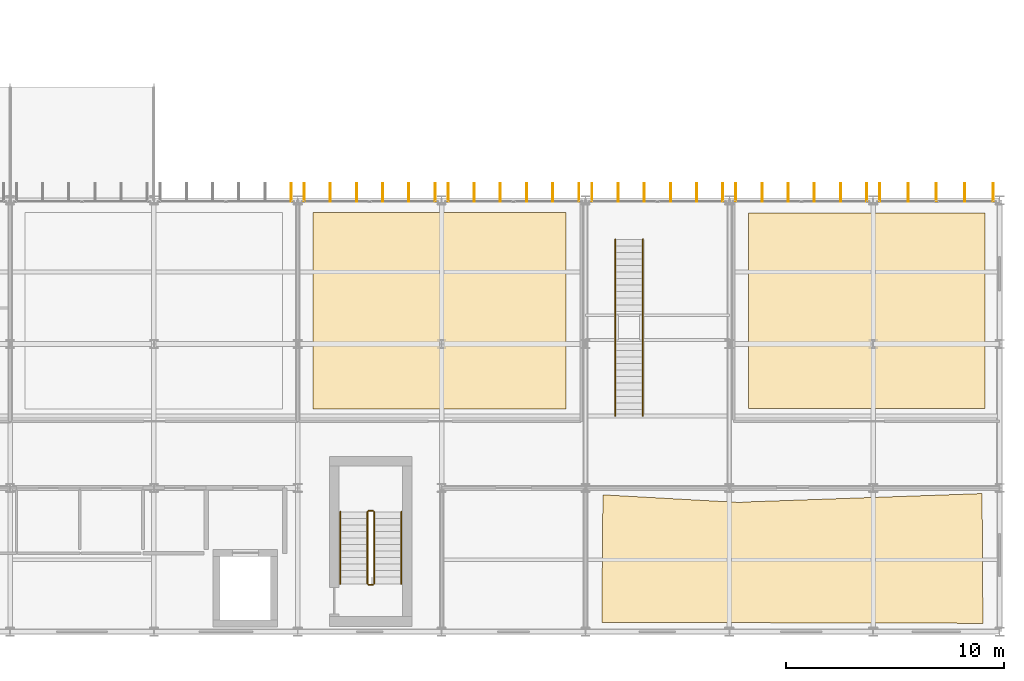
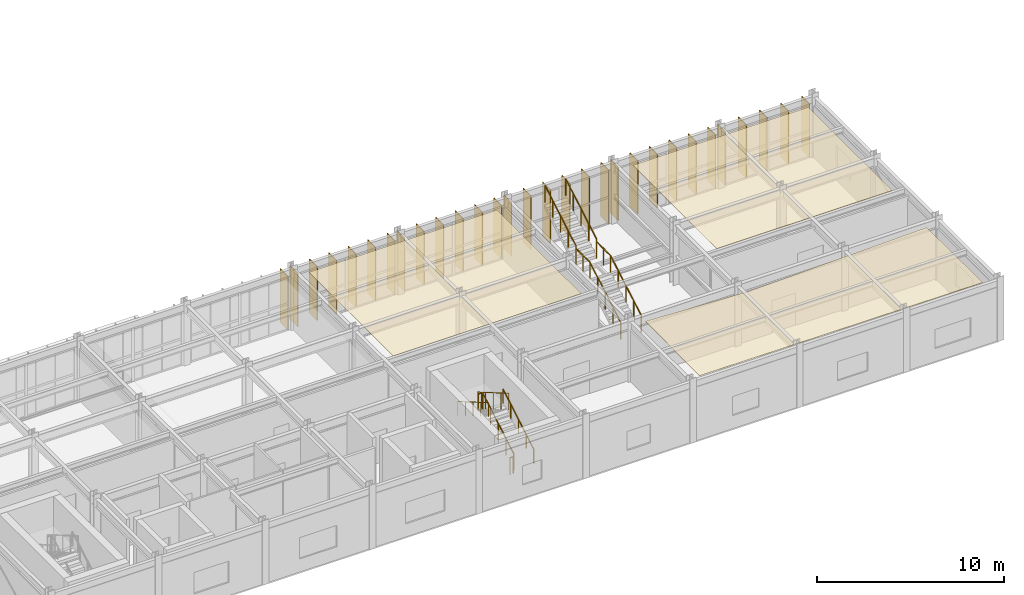
# One storey, part 147 of 148: 30 shading devices, 12 railings, 3 coverings.
"""IFC4 building model written with IfcOpenShell, lengths in metres."""

import ifcopenshell
import ifcopenshell.guid

model = None  # the IFC model being written
_history = None  # IfcOwnerHistory: only IFC2X3 demands one
_inside = {}  # id of a spatial element -> (the spatial element, [elements in it])
_under = {}  # id of a project, library or spatial element -> (it, [spatial elements below it])
_declared = {}  # id of a project -> (the project, [libraries it declares])
_typed = {}  # id of a type object -> (the type object, [elements of that type])
_made_of = {}  # id of a material, layer set ... -> (it, [elements and type objects made of it])


def new_model(schema):
    """Start an empty IFC model of exactly this schema.

    Asked for "IFC4X3", IfcOpenShell would pick the latest addendum, in which some entities
    have other attributes; the version numbers below select the first issue.
    IFC2X3 requires an IfcOwnerHistory on every rooted entity: one is made here for all.
    """
    global model, _history
    if schema == "IFC4X3":
        model = ifcopenshell.file(schema_version=(4, 3, 0, 0))
    else:
        model = ifcopenshell.file(schema=schema)
    _inside.clear()
    _under.clear()
    _declared.clear()
    _typed.clear()
    _made_of.clear()
    _history = None
    if model.schema == "IFC2X3":
        org = make("IfcOrganization", Name="unknown")
        user = make(
            "IfcPersonAndOrganization",
            ThePerson=make("IfcPerson", FamilyName="unknown"),
            TheOrganization=org,
        )
        app = make(
            "IfcApplication",
            ApplicationDeveloper=org,
            Version="unknown",
            ApplicationFullName="unknown",
            ApplicationIdentifier="unknown",
        )
        _history = make(
            "IfcOwnerHistory",
            OwningUser=user,
            OwningApplication=app,
            ChangeAction="ADDED",
            CreationDate=0,
        )
    return model


def make(cls, **values):
    """One entity of the class cls with the attributes given. An attribute that is None is left unset."""
    return model.create_entity(
        cls, **{name: value for name, value in values.items() if value is not None}
    )


def rooted(cls, **values):
    """An entity with a GlobalId (a new one), such as an element, a storey or a relation."""
    return make(cls, GlobalId=ifcopenshell.guid.new(), OwnerHistory=_history, **values)


def si_unit(unit_type, name, prefix=None):
    """IfcSIUnit, for example si_unit("LENGTHUNIT", "METRE", prefix="MILLI")."""
    return make("IfcSIUnit", UnitType=unit_type, Prefix=prefix, Name=name)


def assignment(units):
    """IfcUnitAssignment: the units of a project."""
    return None if units is None else make("IfcUnitAssignment", Units=units)


def point(xyz):
    """IfcCartesianPoint."""
    return None if xyz is None else make("IfcCartesianPoint", Coordinates=xyz)


def direction(xyz):
    """IfcDirection."""
    return None if xyz is None else make("IfcDirection", DirectionRatios=xyz)


def frame(location, z_axis=None, x_axis=None):
    """IfcAxis2Placement3D, a coordinate frame: its origin and axes. An axis left out is left unset."""
    return make(
        "IfcAxis2Placement3D",
        Location=point(location),
        Axis=direction(z_axis),
        RefDirection=direction(x_axis),
    )


def frame_2d(location, x_axis=None):
    """IfcAxis2Placement2D, a coordinate frame in the plane: its origin and x axis."""
    return make(
        "IfcAxis2Placement2D", Location=point(location), RefDirection=direction(x_axis)
    )


def origin():
    """The frame at (0, 0, 0) with its axes left unset."""
    return frame((0.0, 0.0, 0.0))


def origin_2d():
    """The frame at (0, 0) in the plane with its x axis left unset."""
    return frame_2d((0.0, 0.0))


def place(relative_to, where):
    """IfcLocalPlacement: puts the frame where relative to a parent placement (None: the world)."""
    return make(
        "IfcLocalPlacement", PlacementRelTo=relative_to, RelativePlacement=where
    )


def context(
    kind, dimensions, precision=None, world=None, true_north=None, identifier=None
):
    """IfcGeometricRepresentationContext, for example the 3D "Model" context."""
    return make(
        "IfcGeometricRepresentationContext",
        ContextIdentifier=identifier,
        ContextType=kind,
        CoordinateSpaceDimension=dimensions,
        Precision=precision,
        WorldCoordinateSystem=world,
        TrueNorth=true_north,
    )


def subcontext(parent, identifier, kind, view, scale=None):
    """IfcGeometricRepresentationSubContext, for example "Body" below "Model"."""
    return make(
        "IfcGeometricRepresentationSubContext",
        ContextIdentifier=identifier,
        ContextType=kind,
        ParentContext=parent,
        TargetScale=scale,
        TargetView=view,
    )


def project(units=None, contexts=None):
    """IfcProject with its units and contexts."""
    return rooted(
        "IfcProject",
        Name="project",
        RepresentationContexts=contexts,
        UnitsInContext=assignment(units),
    )


def spatial(cls, under=None, at=None, **own):
    """A site, building, storey or space (cls), placed at a placement, below another one or the project."""
    s = rooted(cls, ObjectPlacement=at, **own)
    if under is not None:
        _under.setdefault(under.id(), (under, []))[1].append(s)
    return s


def polyline(points):
    """IfcPolyline through the points."""
    return make("IfcPolyline", Points=[point(p) for p in points])


def profile(cls, at=None, kind="AREA", **sizes):
    """A parametric profile (cls). Its sizes go by their IFC names, for example OverallWidth=200.0."""
    return make(cls, ProfileType=kind, Position=at, **sizes)


def rectangle(**sizes):
    """IfcRectangleProfileDef."""
    return profile("IfcRectangleProfileDef", **sizes)


def circle(**sizes):
    """IfcCircleProfileDef."""
    return profile("IfcCircleProfileDef", **sizes)


def outline(outer, holes=None, kind="AREA"):
    """IfcArbitraryClosedProfileDef: a profile drawn as a closed curve; with holes, ...WithVoids."""
    if holes is None:
        return make("IfcArbitraryClosedProfileDef", ProfileType=kind, OuterCurve=outer)
    return make(
        "IfcArbitraryProfileDefWithVoids",
        ProfileType=kind,
        OuterCurve=outer,
        InnerCurves=holes,
    )


def extrude(swept, where, along, depth):
    """IfcExtrudedAreaSolid: the profile swept, set in the frame where, extruded along a direction by depth."""
    return make(
        "IfcExtrudedAreaSolid",
        SweptArea=swept,
        Position=where,
        ExtrudedDirection=direction(along),
        Depth=depth,
    )


def shape(context_of_items, identifier, shape_type, items):
    """IfcShapeRepresentation: the items that make up one representation, for example the "Body"."""
    return make(
        "IfcShapeRepresentation",
        ContextOfItems=context_of_items,
        RepresentationIdentifier=identifier,
        RepresentationType=shape_type,
        Items=items,
    )


def material(Name=None, Category=None):
    """IfcMaterial."""
    return make("IfcMaterial", Name=Name, Category=Category)


def layer(
    of_material, thickness, ventilated=None, Name=None, Category=None, Priority=None
):
    """IfcMaterialLayer: one layer of a wall or slab, of a material (None: an air gap)."""
    return make(
        "IfcMaterialLayer",
        Material=of_material,
        LayerThickness=thickness,
        IsVentilated=ventilated,
        Name=Name,
        Category=Category,
        Priority=Priority,
    )


def layer_set(layers, Name=None):
    """IfcMaterialLayerSet."""
    return make("IfcMaterialLayerSet", MaterialLayers=layers, LayerSetName=Name)


def made_of(thing, what):
    """Note that an element or type object is made of a material, layer set ...; save() writes the relation."""
    if what is not None:
        _made_of.setdefault(what.id(), (what, []))[1].append(thing)
    return thing


def type_object(cls, material=None, **own):
    """A type object (cls), such as IfcWallType, which elements share."""
    return made_of(rooted(cls, **own), material)


def element(
    cls,
    number,
    at=None,
    inside=None,
    cuts=None,
    type_object=None,
    material=None,
    context=None,
    identifier="Body",
    shape_type=None,
    held_by="IfcProductDefinitionShape",
    body=None,
    shapes=None,
    **own,
):
    """One element of the class cls, such as IfcWall. Its Tag is "e" and its number.

    at: its placement. inside: the storey or other place that contains it. cuts: it is an
    opening in that element (IfcRelVoidsElement). A single representation is given by context,
    identifier, shape_type and body (its items); several are given by shapes. held_by: the class
    of the entity that holds the representations. save() writes the other relations.
    """
    e = rooted(cls, Tag="e%d" % number, ObjectPlacement=at, **own)
    if body is not None:
        shapes = [shape(context, identifier, shape_type, body)]
    if shapes is not None:
        e.Representation = make(held_by, Representations=shapes)
    if inside is not None:
        _inside.setdefault(inside.id(), (inside, []))[1].append(e)
    if cuts is not None:
        rooted(
            "IfcRelVoidsElement", RelatingBuildingElement=cuts, RelatedOpeningElement=e
        )
    if type_object is not None:
        _typed.setdefault(type_object.id(), (type_object, []))[1].append(e)
    return made_of(e, material)


def aggregate(whole, parts):
    """IfcRelAggregates: a whole, such as a stair, and the parts it consists of."""
    return rooted("IfcRelAggregates", RelatingObject=whole, RelatedObjects=parts)


def save(model, path):
    """Write the relations noted so far, then the file.

    IfcRelAggregates (storeys below a building ...), IfcRelContainedInSpatialStructure (elements
    in a storey), IfcRelDefinesByType, IfcRelAssociatesMaterial and IfcRelDeclares: one each for
    every whole, place, type object, material and project.
    """
    for whole, parts in _under.values():
        aggregate(whole, parts)
    for where, things in _inside.values():
        rooted(
            "IfcRelContainedInSpatialStructure",
            RelatedElements=things,
            RelatingStructure=where,
        )
    for kind, things in _typed.values():
        rooted("IfcRelDefinesByType", RelatedObjects=things, RelatingType=kind)
    for what, things in _made_of.values():
        rooted("IfcRelAssociatesMaterial", RelatedObjects=things, RelatingMaterial=what)
    for by, libraries in _declared.values():
        rooted("IfcRelDeclares", RelatingContext=by, RelatedDefinitions=libraries)
    model.write(path)


model = new_model("IFC4")

# Units and contexts
model_context = context("Model", 3, precision=1e-05, world=origin(), true_north=direction((0.0, 1.0)))
body_context = subcontext(model_context, "Body", "Model", "MODEL_VIEW")
ifc_project = project(units=[si_unit("LENGTHUNIT", "METRE"), si_unit("AREAUNIT", "SQUARE_METRE"), si_unit("VOLUMEUNIT", "CUBIC_METRE"), si_unit("PLANEANGLEUNIT", "RADIAN"), si_unit("MASSUNIT", "GRAM", prefix="KILO")], contexts=[model_context])

# Site, building, storey
site_placement = place(None, origin())
site = spatial("IfcSite", under=ifc_project, at=site_placement, CompositionType="ELEMENT")
building_placement = place(site_placement, origin())
building = spatial("IfcBuilding", under=site, at=building_placement, Name="Karori Crest Natural Sciences Institute", CompositionType="ELEMENT")
storey_placement = place(building_placement, frame((0.0, 0.0, 4.89990234375)))
storey = spatial("IfcBuildingStorey", under=building, at=storey_placement, Name="L01", CompositionType="ELEMENT", Elevation=4.89990234375)

# Coverings
ifc_material_1 = material(Name="Acoustic mineral fibre ceiling tile")
ifc_layer_1 = layer(ifc_material_1, 0.02490234375, Name="Acoustic mineral fibre ceiling tile")
ifc_layer_set_1 = layer_set([ifc_layer_1], Name="Acoustic mineral fibre ceiling tile")
covering_type = type_object("IfcCoveringType", Name="CVT-CEIL", PredefinedType="CEILING", material=ifc_layer_set_1)
covering_1_placement = place(storey_placement, frame((0.0, 0.0, 3.705078125)))
element("IfcCovering", 1, at=covering_1_placement, inside=storey, type_object=covering_type, Name="Acoustic ceiling CLG-0005", PredefinedType="CEILING", context=body_context, shape_type="SweptSolid", body=[
    extrude(outline(polyline([(143.99951171875, 7.081298828125), (143.946044921875, 1.23291015625), (161.4326171875, 1.18603515625), (161.39453125, 7.13818359375), (150.406494140625, 6.74951171875), (150.410400390625, 6.72265625), (143.99951171875, 7.081298828125)])), origin(), (0.0, 0.0, 1.0), 0.02490234375),
])
covering_2_placement = place(storey_placement, frame((0.0, 0.0, 3.705078125)))
element("IfcCovering", 2, at=covering_2_placement, inside=storey, type_object=covering_type, Name="Acoustic ceiling CLG-0008", PredefinedType="CEILING", context=body_context, shape_type="SweptSolid", body=[
    extrude(outline(polyline([(130.693115234375, 20.031005859375), (130.693115234375, 11.01904296875), (142.306884765625, 11.01904296875), (142.306884765625, 20.031005859375), (130.693115234375, 20.031005859375)])), origin(), (0.0, 0.0, 1.0), 0.02490234375),
])
covering_3_placement = place(storey_placement, frame((0.0, 0.0, 3.705078125)))
element("IfcCovering", 3, at=covering_3_placement, inside=storey, type_object=covering_type, Name="Acoustic ceiling CLG-0009", PredefinedType="CEILING", context=body_context, shape_type="SweptSolid", body=[
    extrude(outline(polyline([(150.67919921875, 20.013671875), (150.67919921875, 11.036376953125), (161.520751953125, 11.036376953125), (161.520751953125, 20.013671875), (150.67919921875, 20.013671875)])), origin(), (0.0, 0.0, 1.0), 0.02490234375),
])

# Railings
ifc_material_2 = material(Name="Stainless steel 316 tubular handrail", Category="steel")
railing_type_1 = type_object("IfcRailingType", Name="RLT-HND", PredefinedType="HANDRAIL", material=ifc_material_2)
railing_1_placement = place(storey_placement, frame((134.75, 3.0, 0.175048828125)))
element("IfcRailing", 4, at=railing_1_placement, inside=storey, type_object=railing_type_1, Name="Stair handrail RL-0176", PredefinedType="HANDRAIL", context=body_context, shape_type="SweptSolid", body=[
    extrude(circle(Radius=0.02392578125, at=origin_2d()), frame((0.0, 0.0, 0.90087890625), z_axis=(0.0, 0.863776583165, 0.503874998761), x_axis=(-1.0, 0.0, 0.0)), (0.0, 0.0, 1.0), 3.820556640625),
    extrude(circle(Radius=0.02099609375, at=origin_2d()), origin(), (0.0, 0.0, 1.0), 0.876953125),
    extrude(circle(Radius=0.02099609375, at=origin_2d()), frame((0.0, 0.824951171875, 0.481201171875)), (0.0, 0.0, 1.0), 0.876953125),
    extrude(circle(Radius=0.02099609375, at=origin_2d()), frame((0.0, 1.64990234375, 0.96240234375)), (0.0, 0.0, 1.0), 0.876953125),
    extrude(circle(Radius=0.02099609375, at=origin_2d()), frame((0.0, 2.47509765625, 1.44384765625)), (0.0, 0.0, 1.0), 0.876953125),
    extrude(circle(Radius=0.02099609375, at=origin_2d()), frame((0.0, 3.300048828125, 1.925048828125)), (0.0, 0.0, 1.0), 0.876953125),
])
railing_2_placement = place(storey_placement, frame((131.949951171875, 6.300048828125, 2.275146484375)))
element("IfcRailing", 5, at=railing_2_placement, inside=storey, type_object=railing_type_1, Name="Stair handrail RL-0177", PredefinedType="HANDRAIL", context=body_context, shape_type="SweptSolid", body=[
    extrude(circle(Radius=0.02392578125, at=origin_2d()), frame((0.0, 0.0, 0.90087890625), z_axis=(0.0, -0.863776583165, 0.503874998761), x_axis=(1.0, 0.0, 0.0)), (0.0, 0.0, 1.0), 3.820556640625),
    extrude(circle(Radius=0.02099609375, at=origin_2d()), origin(), (0.0, 0.0, 1.0), 0.876953125),
    extrude(circle(Radius=0.02099609375, at=origin_2d()), frame((0.0, -0.824951171875, 0.481201171875)), (0.0, 0.0, 1.0), 0.876953125),
    extrude(circle(Radius=0.02099609375, at=origin_2d()), frame((0.0, -1.64990234375, 0.96240234375)), (0.0, 0.0, 1.0), 0.876953125),
    extrude(circle(Radius=0.02099609375, at=origin_2d()), frame((0.0, -2.47509765625, 1.44384765625)), (0.0, 0.0, 1.0), 0.876953125),
    extrude(circle(Radius=0.02099609375, at=origin_2d()), frame((0.0, -3.300048828125, 1.925048828125)), (0.0, 0.0, 1.0), 0.876953125),
])
ifc_material_3 = material(Name="Stainless steel 316 stair guard", Category="steel")
railing_type_2 = type_object("IfcRailingType", Name="RLT-STG", PredefinedType="GUARDRAIL", material=ifc_material_3)
railing_3_placement = place(storey_placement, frame((133.5, 3.0, 0.175048828125)))
element("IfcRailing", 6, at=railing_3_placement, inside=storey, type_object=railing_type_2, Name="Stair guard RL-0172", PredefinedType="GUARDRAIL", context=body_context, shape_type="SweptSolid", body=[
    extrude(circle(Radius=0.02392578125, at=origin_2d()), frame((0.0, 0.0, 1.076171875), z_axis=(0.0, 0.863776583165, 0.503874998761), x_axis=(-1.0, 0.0, 0.0)), (0.0, 0.0, 1.0), 3.820556640625),
    extrude(circle(Radius=0.02099609375, at=origin_2d()), origin(), (0.0, 0.0, 1.0), 1.052001953125),
    extrude(circle(Radius=0.02099609375, at=origin_2d()), frame((0.0, 0.824951171875, 0.481201171875)), (0.0, 0.0, 1.0), 1.052001953125),
    extrude(circle(Radius=0.02099609375, at=origin_2d()), frame((0.0, 1.64990234375, 0.96240234375)), (0.0, 0.0, 1.0), 1.052001953125),
    extrude(circle(Radius=0.02099609375, at=origin_2d()), frame((0.0, 2.47509765625, 1.44384765625)), (0.0, 0.0, 1.0), 1.052001953125),
    extrude(circle(Radius=0.02099609375, at=origin_2d()), frame((0.0, 3.300048828125, 1.925048828125)), (0.0, 0.0, 1.0), 1.052001953125),
])
railing_4_placement = place(storey_placement, frame((133.449951171875, 6.35009765625, 2.10009765625)))
element("IfcRailing", 7, at=railing_4_placement, inside=storey, type_object=railing_type_2, Name="Stair guard RL-0173", PredefinedType="GUARDRAIL", context=body_context, shape_type="SweptSolid", body=[
    extrude(circle(Radius=0.02392578125, at=origin_2d()), frame((0.0, 0.0, 1.076171875), z_axis=(-1.0, 0.0, 0.0), x_axis=(0.0, -1.0, 0.0)), (0.0, 0.0, 1.0), 0.199951171875),
    extrude(circle(Radius=0.02099609375, at=origin_2d()), origin(), (0.0, 0.0, 1.0), 1.052001953125),
    extrude(circle(Radius=0.02099609375, at=origin_2d()), frame((-0.199951171875, 0.0, 0.0)), (0.0, 0.0, 1.0), 1.052001953125),
])
railing_5_placement = place(storey_placement, frame((133.199951171875, 6.300048828125, 2.275146484375)))
element("IfcRailing", 8, at=railing_5_placement, inside=storey, type_object=railing_type_2, Name="Stair guard RL-0174", PredefinedType="GUARDRAIL", context=body_context, shape_type="SweptSolid", body=[
    extrude(circle(Radius=0.02392578125, at=origin_2d()), frame((0.0, 0.0, 1.076171875), z_axis=(0.0, -0.863776583165, 0.503874998761), x_axis=(1.0, 0.0, 0.0)), (0.0, 0.0, 1.0), 3.820556640625),
    extrude(circle(Radius=0.02099609375, at=origin_2d()), origin(), (0.0, 0.0, 1.0), 1.052001953125),
    extrude(circle(Radius=0.02099609375, at=origin_2d()), frame((0.0, -0.824951171875, 0.481201171875)), (0.0, 0.0, 1.0), 1.052001953125),
    extrude(circle(Radius=0.02099609375, at=origin_2d()), frame((0.0, -1.64990234375, 0.96240234375)), (0.0, 0.0, 1.0), 1.052001953125),
    extrude(circle(Radius=0.02099609375, at=origin_2d()), frame((0.0, -2.47509765625, 1.44384765625)), (0.0, 0.0, 1.0), 1.052001953125),
    extrude(circle(Radius=0.02099609375, at=origin_2d()), frame((0.0, -3.300048828125, 1.925048828125)), (0.0, 0.0, 1.0), 1.052001953125),
])
railing_6_placement = place(storey_placement, frame((133.449951171875, 2.949951171875, 0.0)))
element("IfcRailing", 9, at=railing_6_placement, inside=storey, type_object=railing_type_2, Name="Stair guard RL-0175", PredefinedType="GUARDRAIL", context=body_context, shape_type="SweptSolid", body=[
    extrude(circle(Radius=0.02392578125, at=origin_2d()), frame((0.0, 0.0, 1.076171875), z_axis=(-1.0, 0.0, 0.0), x_axis=(0.0, -1.0, 0.0)), (0.0, 0.0, 1.0), 0.199951171875),
    extrude(circle(Radius=0.02099609375, at=origin_2d()), origin(), (0.0, 0.0, 1.0), 1.052001953125),
    extrude(circle(Radius=0.02099609375, at=origin_2d()), frame((-0.199951171875, 0.0, 0.0)), (0.0, 0.0, 1.0), 1.052001953125),
])
railing_7_placement = place(storey_placement, frame((144.56494140625, 10.699951171875, 0.175048828125)))
element("IfcRailing", 10, at=railing_7_placement, inside=storey, type_object=railing_type_2, Name="Feature stair guard RL-0428", PredefinedType="GUARDRAIL", context=body_context, shape_type="SweptSolid", body=[
    extrude(circle(Radius=0.02392578125, at=origin_2d()), frame((0.0, 0.0, 1.076171875), z_axis=(0.0, 0.863776583165, 0.503874998761), x_axis=(-1.0, 0.0, 0.0)), (0.0, 0.0, 1.0), 3.820556640625),
    extrude(circle(Radius=0.02099609375, at=origin_2d()), origin(), (0.0, 0.0, 1.0), 1.052001953125),
    extrude(circle(Radius=0.02099609375, at=origin_2d()), frame((0.0, 0.824951171875, 0.481201171875)), (0.0, 0.0, 1.0), 1.052001953125),
    extrude(circle(Radius=0.02099609375, at=origin_2d()), frame((0.0, 1.64990234375, 0.96240234375)), (0.0, 0.0, 1.0), 1.052001953125),
    extrude(circle(Radius=0.02099609375, at=origin_2d()), frame((0.0, 2.47509765625, 1.44384765625)), (0.0, 0.0, 1.0), 1.052001953125),
    extrude(circle(Radius=0.02099609375, at=origin_2d()), frame((0.0, 3.300048828125, 1.925048828125)), (0.0, 0.0, 1.0), 1.052001953125),
])
railing_8_placement = place(storey_placement, frame((144.56494140625, 14.0, 2.10009765625)))
element("IfcRailing", 11, at=railing_8_placement, inside=storey, type_object=railing_type_2, Name="Feature stair guard RL-0429", PredefinedType="GUARDRAIL", context=body_context, shape_type="SweptSolid", body=[
    extrude(circle(Radius=0.02392578125, at=origin_2d()), frame((0.0, 0.0, 1.076171875), z_axis=(0.0, 1.0, 0.0), x_axis=(-1.0, 0.0, 0.0)), (0.0, 0.0, 1.0), 1.5),
    extrude(circle(Radius=0.02099609375, at=origin_2d()), origin(), (0.0, 0.0, 1.0), 1.052001953125),
    extrude(circle(Radius=0.02099609375, at=origin_2d()), frame((0.0, 0.75, 0.0)), (0.0, 0.0, 1.0), 1.052001953125),
    extrude(circle(Radius=0.02099609375, at=origin_2d()), frame((0.0, 1.5, 0.0)), (0.0, 0.0, 1.0), 1.052001953125),
])
for number, where, name in (
    (12, (144.56494140625, 15.5, 2.275146484375), "Feature stair guard RL-0430"),
    (13, (145.8349609375, 10.699951171875, 0.175048828125), "Feature stair guard RL-0431"),
):
    element("IfcRailing", number, at=place(storey_placement, frame(where)), inside=storey, type_object=railing_type_2, Name=name, PredefinedType="GUARDRAIL", context=body_context, shape_type="SweptSolid", body=[
        extrude(circle(Radius=0.02392578125, at=origin_2d()), frame((0.0, 0.0, 1.076171875), z_axis=(0.0, 0.863776583165, 0.503874998761), x_axis=(-1.0, 0.0, 0.0)), (0.0, 0.0, 1.0), 3.820556640625),
        extrude(circle(Radius=0.02099609375, at=origin_2d()), origin(), (0.0, 0.0, 1.0), 1.052001953125),
        extrude(circle(Radius=0.02099609375, at=origin_2d()), frame((0.0, 0.824951171875, 0.481201171875)), (0.0, 0.0, 1.0), 1.052001953125),
        extrude(circle(Radius=0.02099609375, at=origin_2d()), frame((0.0, 1.64990234375, 0.96240234375)), (0.0, 0.0, 1.0), 1.052001953125),
        extrude(circle(Radius=0.02099609375, at=origin_2d()), frame((0.0, 2.47509765625, 1.44384765625)), (0.0, 0.0, 1.0), 1.052001953125),
        extrude(circle(Radius=0.02099609375, at=origin_2d()), frame((0.0, 3.300048828125, 1.925048828125)), (0.0, 0.0, 1.0), 1.052001953125),
    ])
railing_9_placement = place(storey_placement, frame((145.8349609375, 14.0, 2.10009765625)))
element("IfcRailing", 14, at=railing_9_placement, inside=storey, type_object=railing_type_2, Name="Feature stair guard RL-0432", PredefinedType="GUARDRAIL", context=body_context, shape_type="SweptSolid", body=[
    extrude(circle(Radius=0.02392578125, at=origin_2d()), frame((0.0, 0.0, 1.076171875), z_axis=(0.0, 1.0, 0.0), x_axis=(-1.0, 0.0, 0.0)), (0.0, 0.0, 1.0), 1.5),
    extrude(circle(Radius=0.02099609375, at=origin_2d()), origin(), (0.0, 0.0, 1.0), 1.052001953125),
    extrude(circle(Radius=0.02099609375, at=origin_2d()), frame((0.0, 0.75, 0.0)), (0.0, 0.0, 1.0), 1.052001953125),
    extrude(circle(Radius=0.02099609375, at=origin_2d()), frame((0.0, 1.5, 0.0)), (0.0, 0.0, 1.0), 1.052001953125),
])
railing_10_placement = place(storey_placement, frame((145.8349609375, 15.5, 2.275146484375)))
element("IfcRailing", 15, at=railing_10_placement, inside=storey, type_object=railing_type_2, Name="Feature stair guard RL-0433", PredefinedType="GUARDRAIL", context=body_context, shape_type="SweptSolid", body=[
    extrude(circle(Radius=0.02392578125, at=origin_2d()), frame((0.0, 0.0, 1.076171875), z_axis=(0.0, 0.863776583165, 0.503874998761), x_axis=(-1.0, 0.0, 0.0)), (0.0, 0.0, 1.0), 3.820556640625),
    extrude(circle(Radius=0.02099609375, at=origin_2d()), origin(), (0.0, 0.0, 1.0), 1.052001953125),
    extrude(circle(Radius=0.02099609375, at=origin_2d()), frame((0.0, 0.824951171875, 0.481201171875)), (0.0, 0.0, 1.0), 1.052001953125),
    extrude(circle(Radius=0.02099609375, at=origin_2d()), frame((0.0, 1.64990234375, 0.96240234375)), (0.0, 0.0, 1.0), 1.052001953125),
    extrude(circle(Radius=0.02099609375, at=origin_2d()), frame((0.0, 2.47509765625, 1.44384765625)), (0.0, 0.0, 1.0), 1.052001953125),
    extrude(circle(Radius=0.02099609375, at=origin_2d()), frame((0.0, 3.300048828125, 1.925048828125)), (0.0, 0.0, 1.0), 1.052001953125),
])

# Shading devices
ifc_material_4 = material(Name="Anodised architectural aluminium 6063-T6", Category="aluminium")
ifc_layer_2 = layer(ifc_material_4, 0.044921875, Name="Anodised architectural aluminium 6063-T6")
ifc_layer_set_2 = layer_set([ifc_layer_2], Name="Anodised architectural aluminium 6063-T6")
shading_device_type = type_object("IfcShadingDeviceType", Name="SDT-FIN", PredefinedType="USERDEFINED", material=ifc_layer_set_2)
for number, where, z_axis, x_axis, name in (
    (16, (129.701904296875, 20.949951171875, 0.000244140625), (0.0, 0.0, 1.0), (0.0, 1.0, 0.0), "Vertical solar fin FN-1415"),
    (17, (130.298095703125, 20.949951171875, 0.000244140625), (0.0, 0.0, 1.0), (0.0, 1.0, 0.0), "Vertical solar fin FN-1416"),
    (18, (131.498779296875, 20.949951171875, 0.000244140625), (0.0, 0.0, 1.0), (0.0, 1.0, 0.0), "Vertical solar fin FN-1417"),
    (19, (132.69970703125, 20.949951171875, 0.000244140625), (0.0, 0.0, 1.0), (0.0, 1.0, 0.0), "Vertical solar fin FN-1418"),
    (20, (133.900390625, 20.949951171875, 0.000244140625), (0.0, 0.0, 1.0), (0.0, 1.0, 0.0), "Vertical solar fin FN-1419"),
    (21, (135.101318359375, 20.949951171875, 0.000244140625), (0.0, 0.0, 1.0), (0.0, 1.0, 0.0), "Vertical solar fin FN-1420"),
    (22, (136.302001953125, 20.949951171875, 0.000244140625), (0.0, 0.0, 1.0), (0.0, 1.0, 0.0), "Vertical solar fin FN-1421"),
    (23, (136.89794921875, 20.949951171875, 0.000244140625), (0.0, 0.0, 1.0), (0.0, 1.0, 0.0), "Vertical solar fin FN-1422"),
    (24, (138.098876953125, 20.949951171875, 0.000244140625), (0.0, 0.0, 1.0), (0.0, 1.0, 0.0), "Vertical solar fin FN-1423"),
    (25, (139.299560546875, 20.949951171875, 0.000244140625), (0.0, 0.0, 1.0), (0.0, 1.0, 0.0), "Vertical solar fin FN-1424"),
    (26, (140.50048828125, 20.949951171875, 0.000244140625), (0.0, 0.0, 1.0), (0.0, 1.0, 0.0), "Vertical solar fin FN-1425"),
    (27, (141.701171875, 20.949951171875, 0.000244140625), (0.0, 0.0, 1.0), (0.0, 1.0, 0.0), "Vertical solar fin FN-1426"),
    (28, (142.902099609375, 20.949951171875, 0.000244140625), (0.0, 0.0, 1.0), (0.0, 1.0, 0.0), "Vertical solar fin FN-1427"),
    (29, (143.498046875, 20.949951171875, 0.000244140625), (0.0, 0.0, 1.0), (0.0, 1.0, 0.0), "Vertical solar fin FN-1428"),
    (30, (144.69873046875, 20.949951171875, 0.000244140625), (0.0, 0.0, 1.0), (0.0, 1.0, 0.0), "Vertical solar fin FN-1429"),
    (31, (145.899658203125, 20.949951171875, 0.000244140625), (0.0, 0.0, 1.0), (0.0, 1.0, 0.0), "Vertical solar fin FN-1430"),
    (32, (147.100341796875, 20.949951171875, 0.000244140625), (0.0, 0.0, 1.0), (0.0, 1.0, 0.0), "Vertical solar fin FN-1431"),
    (33, (148.30126953125, 20.949951171875, 0.000244140625), (0.0, 0.0, 1.0), (0.0, 1.0, 0.0), "Vertical solar fin FN-1432"),
    (34, (149.501953125, 20.949951171875, 0.000244140625), (0.0, 0.0, 1.0), (0.0, 1.0, 0.0), "Vertical solar fin FN-1433"),
    (35, (150.097900390625, 20.949951171875, 0.000244140625), (0.0, 0.0, 1.0), (0.0, 1.0, 0.0), "Vertical solar fin FN-1434"),
    (36, (151.298828125, 20.949951171875, 0.000244140625), (0.0, 0.0, 1.0), (0.0, 1.0, 0.0), "Vertical solar fin FN-1435"),
    (37, (152.49951171875, 20.949951171875, 0.000244140625), (0.0, 0.0, 1.0), (0.0, 1.0, 0.0), "Vertical solar fin FN-1436"),
    (38, (153.700439453125, 20.949951171875, 0.000244140625), (0.0, 0.0, 1.0), (0.0, 1.0, 0.0), "Vertical solar fin FN-1437"),
    (39, (154.901123046875, 20.949951171875, 0.000244140625), (0.0, 0.0, 1.0), (0.0, 1.0, 0.0), "Vertical solar fin FN-1438"),
    (40, (156.10205078125, 20.949951171875, 0.000244140625), (0.0, 0.0, 1.0), (0.0, 1.0, 0.0), "Vertical solar fin FN-1439"),
    (41, (156.697998046875, 20.949951171875, 0.000244140625), (0.0, 0.0, 1.0), (0.0, 1.0, 0.0), "Vertical solar fin FN-1440"),
    (42, (157.9990234375, 20.949951171875, 0.000244140625), (0.0, 0.0, 1.0), (0.0, 1.0, 0.0), "Vertical solar fin FN-1441"),
    (43, (159.300048828125, 20.949951171875, 0.000244140625), (0.0, 0.0, 1.0), (0.0, 1.0, 0.0), "Vertical solar fin FN-1442"),
    (44, (160.60107421875, 20.949951171875, 0.000244140625), (0.0, 0.0, 1.0), (0.0, 1.0, 0.0), "Vertical solar fin FN-1443"),
    (45, (161.902099609375, 20.949951171875, 0.000244140625), (0.0, 0.0, 1.0), (0.0, 1.0, 0.0), "Vertical solar fin FN-1444"),
):
    element("IfcShadingDevice", number, at=place(storey_placement, frame(where, z_axis=z_axis, x_axis=x_axis)), inside=storey, type_object=shading_device_type, Name=name, ObjectType="SOLAR_FIN", PredefinedType="USERDEFINED", context=body_context, shape_type="SweptSolid", body=[
        extrude(rectangle(XDim=0.85009765625, YDim=0.044921875, at=origin_2d()), origin(), (0.0, 0.0, 1.0), 3.5048828125),
    ])

save(model, "model.ifc")
